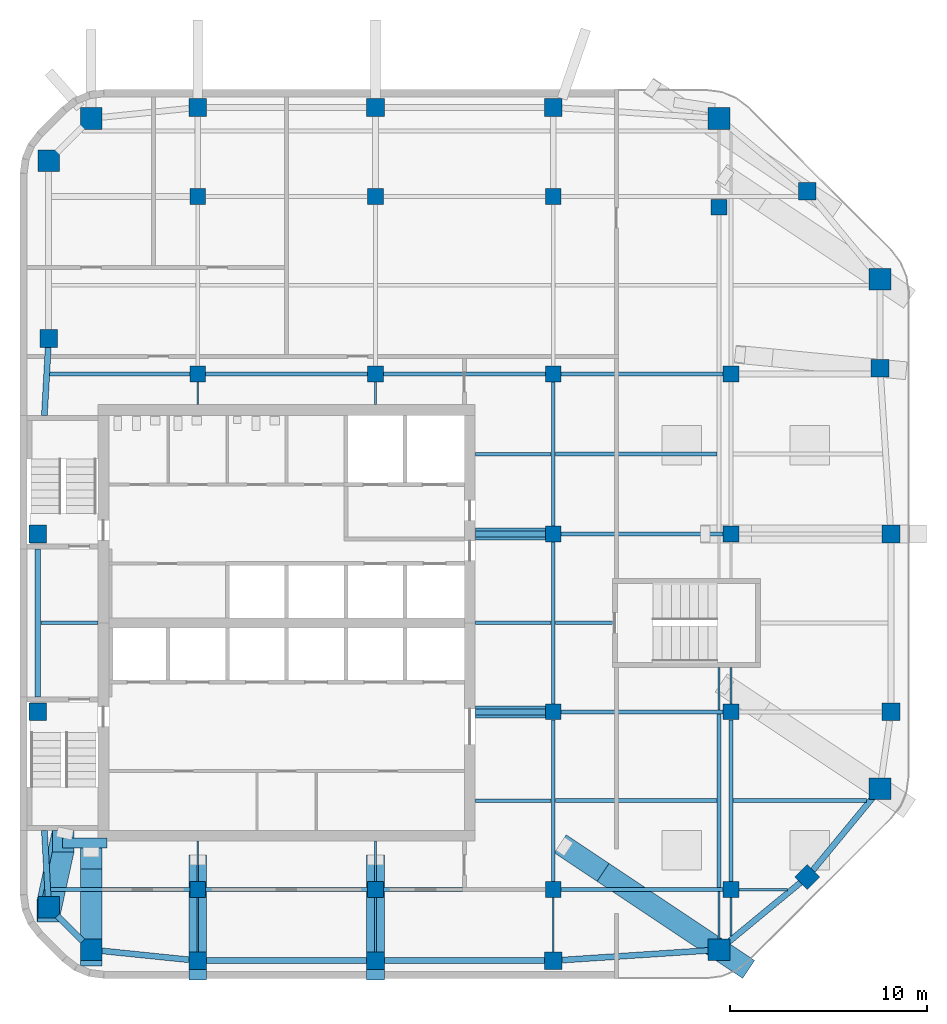
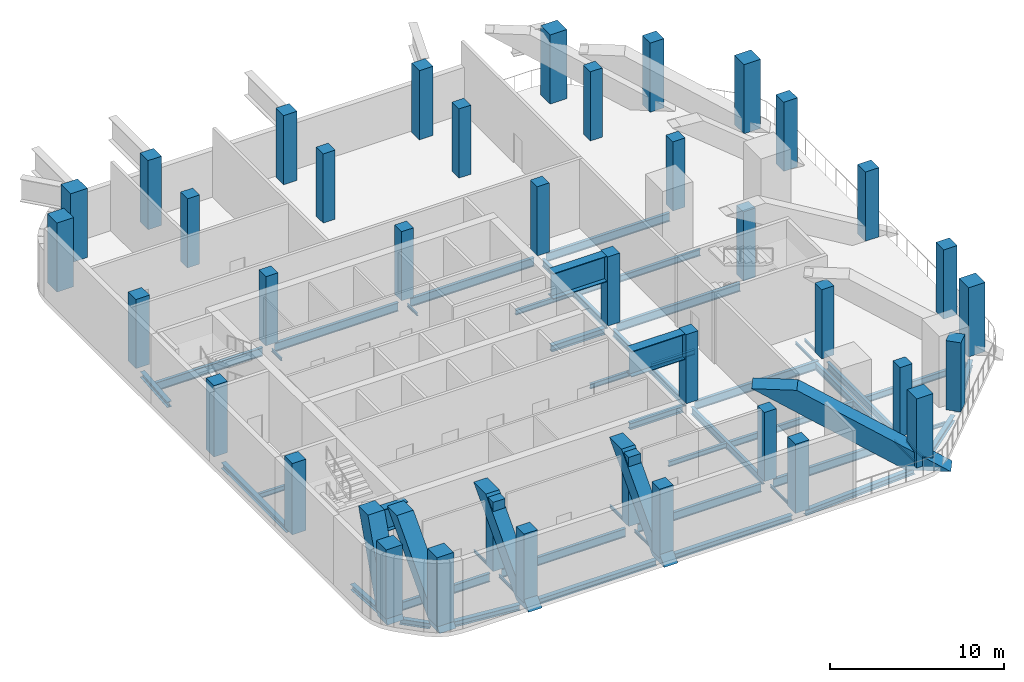
# One storey, part 1 of 8: 50 beams, 38 columns, 5 members.
"""IFC4 building model written with IfcOpenShell, lengths in metres."""

import ifcopenshell
import ifcopenshell.guid

model = None  # the IFC model being written
_history = None  # IfcOwnerHistory: only IFC2X3 demands one
_inside = {}  # id of a spatial element -> (the spatial element, [elements in it])
_under = {}  # id of a project, library or spatial element -> (it, [spatial elements below it])
_declared = {}  # id of a project -> (the project, [libraries it declares])
_typed = {}  # id of a type object -> (the type object, [elements of that type])
_made_of = {}  # id of a material, layer set ... -> (it, [elements and type objects made of it])


def new_model(schema):
    """Start an empty IFC model of exactly this schema.

    Asked for "IFC4X3", IfcOpenShell would pick the latest addendum, in which some entities
    have other attributes; the version numbers below select the first issue.
    IFC2X3 requires an IfcOwnerHistory on every rooted entity: one is made here for all.
    """
    global model, _history
    if schema == "IFC4X3":
        model = ifcopenshell.file(schema_version=(4, 3, 0, 0))
    else:
        model = ifcopenshell.file(schema=schema)
    _inside.clear()
    _under.clear()
    _declared.clear()
    _typed.clear()
    _made_of.clear()
    _history = None
    if model.schema == "IFC2X3":
        org = make("IfcOrganization", Name="unknown")
        user = make(
            "IfcPersonAndOrganization",
            ThePerson=make("IfcPerson", FamilyName="unknown"),
            TheOrganization=org,
        )
        app = make(
            "IfcApplication",
            ApplicationDeveloper=org,
            Version="unknown",
            ApplicationFullName="unknown",
            ApplicationIdentifier="unknown",
        )
        _history = make(
            "IfcOwnerHistory",
            OwningUser=user,
            OwningApplication=app,
            ChangeAction="ADDED",
            CreationDate=0,
        )
    return model


def make(cls, **values):
    """One entity of the class cls with the attributes given. An attribute that is None is left unset."""
    return model.create_entity(
        cls, **{name: value for name, value in values.items() if value is not None}
    )


def rooted(cls, **values):
    """An entity with a GlobalId (a new one), such as an element, a storey or a relation."""
    return make(cls, GlobalId=ifcopenshell.guid.new(), OwnerHistory=_history, **values)


def si_unit(unit_type, name, prefix=None):
    """IfcSIUnit, for example si_unit("LENGTHUNIT", "METRE", prefix="MILLI")."""
    return make("IfcSIUnit", UnitType=unit_type, Prefix=prefix, Name=name)


def assignment(units):
    """IfcUnitAssignment: the units of a project."""
    return None if units is None else make("IfcUnitAssignment", Units=units)


def point(xyz):
    """IfcCartesianPoint."""
    return None if xyz is None else make("IfcCartesianPoint", Coordinates=xyz)


def direction(xyz):
    """IfcDirection."""
    return None if xyz is None else make("IfcDirection", DirectionRatios=xyz)


def frame(location, z_axis=None, x_axis=None):
    """IfcAxis2Placement3D, a coordinate frame: its origin and axes. An axis left out is left unset."""
    return make(
        "IfcAxis2Placement3D",
        Location=point(location),
        Axis=direction(z_axis),
        RefDirection=direction(x_axis),
    )


def frame_2d(location, x_axis=None):
    """IfcAxis2Placement2D, a coordinate frame in the plane: its origin and x axis."""
    return make(
        "IfcAxis2Placement2D", Location=point(location), RefDirection=direction(x_axis)
    )


def origin():
    """The frame at (0, 0, 0) with its axes left unset."""
    return frame((0.0, 0.0, 0.0))


def origin_2d():
    """The frame at (0, 0) in the plane with its x axis left unset."""
    return frame_2d((0.0, 0.0))


def place(relative_to, where):
    """IfcLocalPlacement: puts the frame where relative to a parent placement (None: the world)."""
    return make(
        "IfcLocalPlacement", PlacementRelTo=relative_to, RelativePlacement=where
    )


def context(
    kind, dimensions, precision=None, world=None, true_north=None, identifier=None
):
    """IfcGeometricRepresentationContext, for example the 3D "Model" context."""
    return make(
        "IfcGeometricRepresentationContext",
        ContextIdentifier=identifier,
        ContextType=kind,
        CoordinateSpaceDimension=dimensions,
        Precision=precision,
        WorldCoordinateSystem=world,
        TrueNorth=true_north,
    )


def subcontext(parent, identifier, kind, view, scale=None):
    """IfcGeometricRepresentationSubContext, for example "Body" below "Model"."""
    return make(
        "IfcGeometricRepresentationSubContext",
        ContextIdentifier=identifier,
        ContextType=kind,
        ParentContext=parent,
        TargetScale=scale,
        TargetView=view,
    )


def project(units=None, contexts=None):
    """IfcProject with its units and contexts."""
    return rooted(
        "IfcProject",
        Name="project",
        RepresentationContexts=contexts,
        UnitsInContext=assignment(units),
    )


def spatial(cls, under=None, at=None, **own):
    """A site, building, storey or space (cls), placed at a placement, below another one or the project."""
    s = rooted(cls, ObjectPlacement=at, **own)
    if under is not None:
        _under.setdefault(under.id(), (under, []))[1].append(s)
    return s


def profile(cls, at=None, kind="AREA", **sizes):
    """A parametric profile (cls). Its sizes go by their IFC names, for example OverallWidth=200.0."""
    return make(cls, ProfileType=kind, Position=at, **sizes)


def rectangle(**sizes):
    """IfcRectangleProfileDef."""
    return profile("IfcRectangleProfileDef", **sizes)


def i_section(**sizes):
    """IfcIShapeProfileDef."""
    return profile("IfcIShapeProfileDef", **sizes)


def extrude(swept, where, along, depth):
    """IfcExtrudedAreaSolid: the profile swept, set in the frame where, extruded along a direction by depth."""
    return make(
        "IfcExtrudedAreaSolid",
        SweptArea=swept,
        Position=where,
        ExtrudedDirection=direction(along),
        Depth=depth,
    )


def shape(context_of_items, identifier, shape_type, items):
    """IfcShapeRepresentation: the items that make up one representation, for example the "Body"."""
    return make(
        "IfcShapeRepresentation",
        ContextOfItems=context_of_items,
        RepresentationIdentifier=identifier,
        RepresentationType=shape_type,
        Items=items,
    )


def material(Name=None, Category=None):
    """IfcMaterial."""
    return make("IfcMaterial", Name=Name, Category=Category)


def material_profile(
    of_material, cross_section, Name=None, Category=None, Priority=None
):
    """IfcMaterialProfile: a cross section and its material."""
    return make(
        "IfcMaterialProfile",
        Name=Name,
        Material=of_material,
        Profile=cross_section,
        Priority=Priority,
        Category=Category,
    )


def profile_set(profiles, Name=None, composite=None):
    """IfcMaterialProfileSet."""
    return make(
        "IfcMaterialProfileSet",
        Name=Name,
        MaterialProfiles=profiles,
        CompositeProfile=composite,
    )


def made_of(thing, what):
    """Note that an element or type object is made of a material, layer set ...; save() writes the relation."""
    if what is not None:
        _made_of.setdefault(what.id(), (what, []))[1].append(thing)
    return thing


def type_object(cls, material=None, **own):
    """A type object (cls), such as IfcWallType, which elements share."""
    return made_of(rooted(cls, **own), material)


def element(
    cls,
    number,
    at=None,
    inside=None,
    cuts=None,
    type_object=None,
    material=None,
    context=None,
    identifier="Body",
    shape_type=None,
    held_by="IfcProductDefinitionShape",
    body=None,
    shapes=None,
    **own,
):
    """One element of the class cls, such as IfcWall. Its Tag is "e" and its number.

    at: its placement. inside: the storey or other place that contains it. cuts: it is an
    opening in that element (IfcRelVoidsElement). A single representation is given by context,
    identifier, shape_type and body (its items); several are given by shapes. held_by: the class
    of the entity that holds the representations. save() writes the other relations.
    """
    e = rooted(cls, Tag="e%d" % number, ObjectPlacement=at, **own)
    if body is not None:
        shapes = [shape(context, identifier, shape_type, body)]
    if shapes is not None:
        e.Representation = make(held_by, Representations=shapes)
    if inside is not None:
        _inside.setdefault(inside.id(), (inside, []))[1].append(e)
    if cuts is not None:
        rooted(
            "IfcRelVoidsElement", RelatingBuildingElement=cuts, RelatedOpeningElement=e
        )
    if type_object is not None:
        _typed.setdefault(type_object.id(), (type_object, []))[1].append(e)
    return made_of(e, material)


def aggregate(whole, parts):
    """IfcRelAggregates: a whole, such as a stair, and the parts it consists of."""
    return rooted("IfcRelAggregates", RelatingObject=whole, RelatedObjects=parts)


def save(model, path):
    """Write the relations noted so far, then the file.

    IfcRelAggregates (storeys below a building ...), IfcRelContainedInSpatialStructure (elements
    in a storey), IfcRelDefinesByType, IfcRelAssociatesMaterial and IfcRelDeclares: one each for
    every whole, place, type object, material and project.
    """
    for whole, parts in _under.values():
        aggregate(whole, parts)
    for where, things in _inside.values():
        rooted(
            "IfcRelContainedInSpatialStructure",
            RelatedElements=things,
            RelatingStructure=where,
        )
    for kind, things in _typed.values():
        rooted("IfcRelDefinesByType", RelatedObjects=things, RelatingType=kind)
    for what, things in _made_of.values():
        rooted("IfcRelAssociatesMaterial", RelatedObjects=things, RelatingMaterial=what)
    for by, libraries in _declared.values():
        rooted("IfcRelDeclares", RelatingContext=by, RelatedDefinitions=libraries)
    model.write(path)


model = new_model("IFC4")

# Units and contexts
model_context = context("Model", 3, precision=1e-05, world=origin(), true_north=direction((0.0, 1.0)))
body_context = subcontext(model_context, "Body", "Model", "MODEL_VIEW")
ifc_project = project(units=[si_unit("LENGTHUNIT", "METRE"), si_unit("AREAUNIT", "SQUARE_METRE"), si_unit("VOLUMEUNIT", "CUBIC_METRE"), si_unit("PLANEANGLEUNIT", "RADIAN"), si_unit("MASSUNIT", "GRAM", prefix="KILO")], contexts=[model_context])

# Site, building, storey
site_placement = place(None, origin())
site = spatial("IfcSite", under=ifc_project, at=site_placement, CompositionType="ELEMENT")
building_placement = place(site_placement, origin())
building = spatial("IfcBuilding", under=site, at=building_placement, Name="Cinnabar Reach Civic Tower", CompositionType="ELEMENT")
storey_placement = place(building_placement, frame((0.0, 0.0, 242.0)))
storey = spatial("IfcBuildingStorey", under=building, at=storey_placement, Name="L58", CompositionType="ELEMENT", Elevation=242.0)

# Columns
ifc_material_1 = material(Name="Concrete C80", Category="concrete")
ifc_material_profile_1 = material_profile(ifc_material_1, rectangle(XDim=1.1, YDim=1.1, at=origin_2d()), Name="RC1100")
ifc_profile_set_1 = profile_set([ifc_material_profile_1], Name="Concrete C80")
column_type_1 = type_object("IfcColumnType", Name="RC1100 column R 240", PredefinedType="COLUMN", material=ifc_profile_set_1)
for number, where, z_axis, x_axis, name in (
    (1, (3.6019, 14.9531, 0.0), (0.0, 0.0, 1.0), (1.0, 0.0, 0.0), "Terrace post T1-Z4-CC0"),
    (2, (35.3981, 14.9531, 0.0), (0.0, 0.0, 1.0), (1.0, 0.0, 0.0), "Terrace post T1-Z4-CC1"),
    (3, (43.5469, 23.1019, 0.0), (0.0, 0.0, 1.0), (1.0, 0.0, 0.0), "Terrace post T1-Z4-CC2"),
    (4, (43.5469, 48.8981, 0.0), (0.0, 0.0, 1.0), (1.0, 0.0, 0.0), "Terrace post T1-Z4-CC3"),
    (5, (35.3981, 57.0469, 0.0), (0.0, 0.0, 1.0), (1.0, 0.0, 0.0), "Column T1-Z4-CC4"),
    (6, (3.6019, 57.0469, 0.0), (0.0, 0.0, 1.0), (1.0, 0.0, 0.0), "Column T1-Z4-CC5"),
    (7, (1.4531, 54.8981, 0.0), (0.0, 0.0, 1.0), (1.0, 0.0, 0.0), "Column T1-Z4-CC6"),
    (8, (1.4531, 17.1019, 0.0), (0.0, 0.0, 1.0), (1.0, 0.0, 0.0), "Terrace post T1-Z4-CC7"),
):
    element("IfcColumn", number, at=place(storey_placement, frame(where, z_axis=z_axis, x_axis=x_axis)), inside=storey, type_object=column_type_1, Name=name, PredefinedType="COLUMN", context=body_context, shape_type="SweptSolid", body=[
        extrude(rectangle(XDim=1.1, YDim=1.1, at=origin_2d()), origin(), (0.0, 0.0, 1.0), 4.85),
    ])
ifc_material_2 = material(Name="Concrete C60", Category="concrete")
ifc_material_profile_2 = material_profile(ifc_material_2, rectangle(XDim=0.8, YDim=0.8, at=origin_2d()), Name="RC800")
ifc_profile_set_2 = profile_set([ifc_material_profile_2], Name="Concrete C60")
column_type_2 = type_object("IfcColumnType", Name="RC800 column R 240", PredefinedType="COLUMN", material=ifc_profile_set_2)
for number, where, z_axis, x_axis, name in (
    (9, (9.0, 18.0, 0.0), (0.0, 0.0, 1.0), (1.0, 0.0, 0.0), "Column T1-Z4-I9_18"),
    (10, (9.0, 44.1, 0.0), (0.0, 0.0, 1.0), (1.0, 0.0, 0.0), "Column T1-Z4-I9_45"),
    (11, (9.0, 53.1, 0.0), (0.0, 0.0, 1.0), (1.0, 0.0, 0.0), "Column T1-Z4-I9_54"),
    (12, (18.0, 18.0, 0.0), (0.0, 0.0, 1.0), (1.0, 0.0, 0.0), "Column T1-Z4-I18_18"),
    (13, (18.0, 44.1, 0.0), (0.0, 0.0, 1.0), (1.0, 0.0, 0.0), "Column T1-Z4-I18_45"),
    (14, (18.0, 53.1, 0.0), (0.0, 0.0, 1.0), (1.0, 0.0, 0.0), "Column T1-Z4-I18_54"),
    (15, (27.0, 18.0, 0.0), (0.0, 0.0, 1.0), (1.0, 0.0, 0.0), "Column T1-Z4-I27_18"),
    (16, (27.0, 27.0, 0.0), (0.0, 0.0, 1.0), (1.0, 0.0, 0.0), "Column T1-Z4-I27_27"),
    (17, (27.0, 36.0, 0.0), (0.0, 0.0, 1.0), (1.0, 0.0, 0.0), "Column T1-Z4-I27_36"),
    (18, (27.0, 44.1, 0.0), (0.0, 0.0, 1.0), (1.0, 0.0, 0.0), "Column T1-Z4-I27_45"),
    (19, (27.0, 53.1, 0.0), (0.0, 0.0, 1.0), (1.0, 0.0, 0.0), "Column T1-Z4-I27_54"),
    (20, (36.0, 18.0, 0.0), (0.0, 0.0, 1.0), (1.0, 0.0, 0.0), "Column T1-Z4-I36_18"),
    (21, (36.0, 27.0, 0.0), (0.0, 0.0, 1.0), (1.0, 0.0, 0.0), "Column T1-Z4-I36_27"),
    (22, (36.0, 36.0, 0.0), (0.0, 0.0, 1.0), (1.0, 0.0, 0.0), "Column T1-Z4-I36_36"),
    (23, (36.0, 44.1, 0.0), (0.0, 0.0, 1.0), (1.0, 0.0, 0.0), "Column T1-Z4-I36_45"),
    (24, (35.3981, 52.5469, 0.0), (0.0, 0.0, 1.0), (1.0, 0.0, 0.0), "Column T1-Z4-I36_54"),
):
    element("IfcColumn", number, at=place(storey_placement, frame(where, z_axis=z_axis, x_axis=x_axis)), inside=storey, type_object=column_type_2, Name=name, PredefinedType="COLUMN", context=body_context, shape_type="SweptSolid", body=[
        extrude(rectangle(XDim=0.8, YDim=0.8, at=origin_2d()), origin(), (0.0, 0.0, 1.0), 4.85),
    ])
ifc_material_3 = material(Name="Concrete C70", Category="concrete")
ifc_material_profile_3 = material_profile(ifc_material_3, rectangle(XDim=0.9, YDim=0.9, at=origin_2d()), Name="RC900")
ifc_profile_set_3 = profile_set([ifc_material_profile_3], Name="Concrete C70")
column_type_3 = type_object("IfcColumnType", Name="RC900 column R 240", PredefinedType="COLUMN", material=ifc_profile_set_3)
for number, where, z_axis, x_axis, name in (
    (25, (9.0, 14.4, 0.0), (0.0, 0.0, 1.0), (1.0, 0.0, 0.0), "Terrace post T1-Z4-F0-1"),
    (26, (18.0, 14.4, 0.0), (0.0, 0.0, 1.0), (1.0, 0.0, 0.0), "Terrace post T1-Z4-F0-2"),
    (27, (27.0, 14.4, 0.0), (0.0, 0.0, 1.0), (1.0, 0.0, 0.0), "Column T1-Z4-F0-3"),
    (28, (39.8636, 18.6364, 0.0), (0.0, 0.0, 1.0), (0.707106781187, 0.707106781187, 0.0), "Column T1-Z4-F1-M"),
    (29, (44.1, 27.0, 0.0), (0.0, 0.0, 1.0), (1.0, 0.0, 0.0), "Column T1-Z4-F2-3"),
    (30, (44.1, 36.0, 0.0), (0.0, 0.0, 1.0), (1.0, 0.0, 0.0), "Terrace post T1-Z4-F2-4"),
    (31, (43.5469, 44.3981, 0.0), (0.0, 0.0, 1.0), (1.0, 0.0, 0.0), "Terrace post T1-Z4-F2-5"),
    (32, (39.8636, 53.3636, 0.0), (0.0, 0.0, 1.0), (1.0, 0.0, 0.0), "Terrace post T1-Z4-F3-M"),
    (33, (9.0, 57.6, 0.0), (0.0, 0.0, 1.0), (1.0, 0.0, 0.0), "Column T1-Z4-F4-1"),
    (34, (18.0, 57.6, 0.0), (0.0, 0.0, 1.0), (1.0, 0.0, 0.0), "Column T1-Z4-F4-2"),
    (35, (27.0, 57.6, 0.0), (0.0, 0.0, 1.0), (1.0, 0.0, 0.0), "Column T1-Z4-F4-3"),
):
    element("IfcColumn", number, at=place(storey_placement, frame(where, z_axis=z_axis, x_axis=x_axis)), inside=storey, type_object=column_type_3, Name=name, PredefinedType="COLUMN", context=body_context, shape_type="SweptSolid", body=[
        extrude(rectangle(XDim=0.9, YDim=0.9, at=origin_2d()), origin(), (0.0, 0.0, 1.0), 4.85),
    ])
for number, where, z_axis, x_axis, name in (
    (36, (0.9, 27.0, 0.0), (0.0, 0.0, 1.0), (1.0, 0.0, 0.0), "Column T1-Z4-F6-3"),
    (37, (0.9, 36.0, 0.0), (0.0, 0.0, 1.0), (1.0, 0.0, 0.0), "Column T1-Z4-F6-4"),
):
    element("IfcColumn", number, at=place(storey_placement, frame(where, z_axis=z_axis, x_axis=x_axis)), inside=storey, type_object=column_type_3, Name=name, PredefinedType="COLUMN", context=body_context, shape_type="SweptSolid", body=[
        extrude(rectangle(XDim=0.9, YDim=0.9, at=origin_2d()), origin(), (0.0, 0.0, 1.0), 5.0),
    ])
column_placement = place(storey_placement, frame((1.4531, 45.8981, 0.0), z_axis=(0.0, 0.0, 1.0), x_axis=(1.0, 0.0, 0.0)))
element("IfcColumn", 38, at=column_placement, inside=storey, type_object=column_type_3, Name="Column T1-Z4-F6-5", PredefinedType="COLUMN", context=body_context, shape_type="SweptSolid", body=[
    extrude(rectangle(XDim=0.9, YDim=0.9, at=origin_2d()), origin(), (0.0, 0.0, 1.0), 4.85),
])

# Beams
ifc_material_4 = material(Name="Steel Q355B", Category="steel")
ifc_material_profile_4 = material_profile(ifc_material_4, i_section(OverallWidth=0.3, OverallDepth=0.39, WebThickness=0.01, FlangeThickness=0.016, FilletRadius=0.013, at=origin_2d()), Name="HM390x300x10x16")
ifc_profile_set_4 = profile_set([ifc_material_profile_4], Name="Steel Q355B")
beam_type_1 = type_object("IfcBeamType", Name="HM390x300x10x16 beam R 180", PredefinedType="BEAM", material=ifc_profile_set_4)
beam_1_placement = place(storey_placement, frame((4.0339, 14.9088, -0.495), z_axis=(0.994792272495, -0.101923179821, 0.0), x_axis=(0.101923179821, 0.994792272495, 0.0)))
element("IfcBeam", 39, at=beam_1_placement, inside=storey, type_object=beam_type_1, Name="Edge beam T1 L58 1", PredefinedType="BEAM", context=body_context, shape_type="SweptSolid", body=[
    extrude(i_section(OverallWidth=0.3, OverallDepth=0.39, WebThickness=0.01, FlangeThickness=0.016, FilletRadius=0.013, at=origin_2d()), origin(), (0.0, 0.0, 1.0), 4.5377),
])
for number, where, z_axis, x_axis, name in (
    (40, (9.452, 14.4, -0.495), (1.0, 0.0, 0.0), (0.0, 1.0, 0.0), "Edge beam T1 L58 2"),
    (41, (18.452, 14.4, -0.495), (1.0, 0.0, 0.0), (0.0, 1.0, 0.0), "Edge beam T1 L58 3"),
):
    element("IfcBeam", number, at=place(storey_placement, frame(where, z_axis=z_axis, x_axis=x_axis)), inside=storey, type_object=beam_type_1, Name=name, PredefinedType="BEAM", context=body_context, shape_type="SweptSolid", body=[
        extrude(i_section(OverallWidth=0.3, OverallDepth=0.39, WebThickness=0.01, FlangeThickness=0.016, FilletRadius=0.013, at=origin_2d()), origin(), (0.0, 0.0, 1.0), 8.096),
    ])
beam_2_placement = place(storey_placement, frame((27.452, 14.4298, -0.495), z_axis=(0.99783894477, 0.065707231721, 0.0), x_axis=(-0.065707231721, 0.99783894477, 0.0)))
element("IfcBeam", 42, at=beam_2_placement, inside=storey, type_object=beam_type_1, Name="Edge beam T1 L58 4", PredefinedType="BEAM", context=body_context, shape_type="SweptSolid", body=[
    extrude(i_section(OverallWidth=0.3, OverallDepth=0.39, WebThickness=0.01, FlangeThickness=0.016, FilletRadius=0.013, at=origin_2d()), origin(), (0.0, 0.0, 1.0), 7.5304),
])
for number, where, z_axis, x_axis, name in (
    (43, (35.8301, 15.3094, -0.495), (0.771434448755, 0.63630880182, 0.0), (-0.63630880182, 0.771434448755, 0.0), "Edge beam T1 L58 5"),
    (44, (40.1142, 18.9402, -0.495), (0.63630880182, 0.771434448755, 0.0), (-0.771434448755, 0.63630880182, 0.0), "Edge beam T1 L58 6"),
):
    element("IfcBeam", number, at=place(storey_placement, frame(where, z_axis=z_axis, x_axis=x_axis)), inside=storey, type_object=beam_type_1, Name=name, PredefinedType="BEAM", context=body_context, shape_type="SweptSolid", body=[
        extrude(i_section(OverallWidth=0.3, OverallDepth=0.39, WebThickness=0.01, FlangeThickness=0.016, FilletRadius=0.013, at=origin_2d()), origin(), (0.0, 0.0, 1.0), 4.8348),
    ])
beam_3_placement = place(storey_placement, frame((1.4278, 45.4461, -0.495), z_axis=(-0.0557766862, -0.998443268932, 0.0), x_axis=(0.998443268932, -0.0557766862, 0.0)))
element("IfcBeam", 45, at=beam_3_placement, inside=storey, type_object=beam_type_1, Name="Edge beam T1 L58 19", PredefinedType="BEAM", context=body_context, shape_type="SweptSolid", body=[
    extrude(i_section(OverallWidth=0.3, OverallDepth=0.39, WebThickness=0.01, FlangeThickness=0.016, FilletRadius=0.013, at=origin_2d()), origin(), (0.0, 0.0, 1.0), 3.4495),
])
beam_4_placement = place(storey_placement, frame((0.9, 35.248, -0.495), z_axis=(0.0, -1.0, 0.0), x_axis=(1.0, 0.0, 0.0)))
element("IfcBeam", 46, at=beam_4_placement, inside=storey, type_object=beam_type_1, Name="Edge beam T1 L58 20", PredefinedType="BEAM", context=body_context, shape_type="SweptSolid", body=[
    extrude(i_section(OverallWidth=0.3, OverallDepth=0.39, WebThickness=0.01, FlangeThickness=0.016, FilletRadius=0.013, at=origin_2d()), origin(), (0.0, 0.0, 1.0), 7.496),
])
beam_5_placement = place(storey_placement, frame((1.2354, 20.998, -0.495), z_axis=(0.05580045603, -0.998441940779, 0.0), x_axis=(0.998441940779, 0.05580045603, 0.0)))
element("IfcBeam", 47, at=beam_5_placement, inside=storey, type_object=beam_type_1, Name="Edge beam T1 L58 21", PredefinedType="BEAM", context=body_context, shape_type="SweptSolid", body=[
    extrude(i_section(OverallWidth=0.3, OverallDepth=0.39, WebThickness=0.01, FlangeThickness=0.016, FilletRadius=0.013, at=origin_2d()), origin(), (0.0, 0.0, 1.0), 3.4695),
])
beam_6_placement = place(storey_placement, frame((1.8851, 16.6699, -0.495), z_axis=(0.707106781187, -0.707106781187, 0.0), x_axis=(0.707106781187, 0.707106781187, 0.0)))
element("IfcBeam", 48, at=beam_6_placement, inside=storey, type_object=beam_type_1, Name="Edge beam T1 L58 22", PredefinedType="BEAM", context=body_context, shape_type="SweptSolid", body=[
    extrude(i_section(OverallWidth=0.3, OverallDepth=0.39, WebThickness=0.01, FlangeThickness=0.016, FilletRadius=0.013, at=origin_2d()), origin(), (0.0, 0.0, 1.0), 1.817),
])
ifc_material_profile_5 = material_profile(ifc_material_4, i_section(OverallWidth=0.3, OverallDepth=0.44, WebThickness=0.011, FlangeThickness=0.018, FilletRadius=0.016, at=origin_2d()), Name="HM440x300x11x18")
ifc_profile_set_5 = profile_set([ifc_material_profile_5], Name="Steel Q355B")
beam_type_2 = type_object("IfcBeamType", Name="HM440x300x11x18 beam R 180", PredefinedType="BEAM", material=ifc_profile_set_5)
for number, where, z_axis, x_axis, name in (
    (49, (23.052, 27.0, -0.52), (1.0, 0.0, 0.0), (0.0, 1.0, 0.0), "Girder T1 L58 6"),
    (50, (23.052, 36.0, -0.52), (1.0, 0.0, 0.0), (0.0, 1.0, 0.0), "Girder T1 L58 9"),
):
    element("IfcBeam", number, at=place(storey_placement, frame(where, z_axis=z_axis, x_axis=x_axis)), inside=storey, type_object=beam_type_2, Name=name, PredefinedType="BEAM", context=body_context, shape_type="SweptSolid", body=[
        extrude(i_section(OverallWidth=0.3, OverallDepth=0.44, WebThickness=0.011, FlangeThickness=0.018, FilletRadius=0.016, at=origin_2d()), origin(), (0.0, 0.0, 1.0), 3.546),
    ])
ifc_material_profile_6 = material_profile(ifc_material_4, i_section(OverallWidth=0.099, OverallDepth=0.198, WebThickness=0.0045, FlangeThickness=0.007, FilletRadius=0.013, at=origin_2d()), Name="HN200x100x5.5x8")
ifc_profile_set_6 = profile_set([ifc_material_profile_6], Name="Steel Q355B")
beam_type_3 = type_object("IfcBeamType", Name="HN200x100x5.5x8 beam R 180", PredefinedType="BEAM", material=ifc_profile_set_6)
beam_7_placement = place(storey_placement, frame((9.0, 14.852, -0.399), z_axis=(0.0, 1.0, 0.0), x_axis=(-1.0, 0.0, 0.0)))
element("IfcBeam", 51, at=beam_7_placement, inside=storey, type_object=beam_type_3, Name="Girder T1 L58 1", PredefinedType="BEAM", context=body_context, shape_type="SweptSolid", body=[
    extrude(i_section(OverallWidth=0.099, OverallDepth=0.198, WebThickness=0.0045, FlangeThickness=0.007, FilletRadius=0.013, at=origin_2d()), origin(), (0.0, 0.0, 1.0), 2.746),
])
beam_8_placement = place(storey_placement, frame((9.0, 18.402, -0.399), z_axis=(0.0, 1.0, 0.0), x_axis=(-1.0, 0.0, 0.0)))
element("IfcBeam", 52, at=beam_8_placement, inside=storey, type_object=beam_type_3, Name="Girder T1 L58 2", PredefinedType="BEAM", context=body_context, shape_type="SweptSolid", body=[
    extrude(i_section(OverallWidth=0.099, OverallDepth=0.198, WebThickness=0.0045, FlangeThickness=0.007, FilletRadius=0.013, at=origin_2d()), origin(), (0.0, 0.0, 1.0), 2.046),
])
beam_9_placement = place(storey_placement, frame((9.0, 42.552, -0.399), z_axis=(0.0, 1.0, 0.0), x_axis=(-1.0, 0.0, 0.0)))
element("IfcBeam", 53, at=beam_9_placement, inside=storey, type_object=beam_type_3, Name="Girder T1 L58 3", PredefinedType="BEAM", context=body_context, shape_type="SweptSolid", body=[
    extrude(i_section(OverallWidth=0.099, OverallDepth=0.198, WebThickness=0.0045, FlangeThickness=0.007, FilletRadius=0.013, at=origin_2d()), origin(), (0.0, 0.0, 1.0), 1.146),
])
beam_10_placement = place(storey_placement, frame((18.0, 14.852, -0.399), z_axis=(0.0, 1.0, 0.0), x_axis=(-1.0, 0.0, 0.0)))
element("IfcBeam", 54, at=beam_10_placement, inside=storey, type_object=beam_type_3, Name="Girder T1 L58 6", PredefinedType="BEAM", context=body_context, shape_type="SweptSolid", body=[
    extrude(i_section(OverallWidth=0.099, OverallDepth=0.198, WebThickness=0.0045, FlangeThickness=0.007, FilletRadius=0.013, at=origin_2d()), origin(), (0.0, 0.0, 1.0), 2.746),
])
beam_11_placement = place(storey_placement, frame((18.0, 18.402, -0.399), z_axis=(0.0, 1.0, 0.0), x_axis=(-1.0, 0.0, 0.0)))
element("IfcBeam", 55, at=beam_11_placement, inside=storey, type_object=beam_type_3, Name="Girder T1 L58 7", PredefinedType="BEAM", context=body_context, shape_type="SweptSolid", body=[
    extrude(i_section(OverallWidth=0.099, OverallDepth=0.198, WebThickness=0.0045, FlangeThickness=0.007, FilletRadius=0.013, at=origin_2d()), origin(), (0.0, 0.0, 1.0), 2.046),
])
beam_12_placement = place(storey_placement, frame((18.0, 42.552, -0.399), z_axis=(0.0, 1.0, 0.0), x_axis=(-1.0, 0.0, 0.0)))
element("IfcBeam", 56, at=beam_12_placement, inside=storey, type_object=beam_type_3, Name="Girder T1 L58 8", PredefinedType="BEAM", context=body_context, shape_type="SweptSolid", body=[
    extrude(i_section(OverallWidth=0.099, OverallDepth=0.198, WebThickness=0.0045, FlangeThickness=0.007, FilletRadius=0.013, at=origin_2d()), origin(), (0.0, 0.0, 1.0), 1.146),
])
beam_13_placement = place(storey_placement, frame((27.0, 14.852, -0.399), z_axis=(0.0, 1.0, 0.0), x_axis=(-1.0, 0.0, 0.0)))
element("IfcBeam", 57, at=beam_13_placement, inside=storey, type_object=beam_type_3, Name="Girder T1 L58 11", PredefinedType="BEAM", context=body_context, shape_type="SweptSolid", body=[
    extrude(i_section(OverallWidth=0.099, OverallDepth=0.198, WebThickness=0.0045, FlangeThickness=0.007, FilletRadius=0.013, at=origin_2d()), origin(), (0.0, 0.0, 1.0), 2.746),
])
beam_14_placement = place(storey_placement, frame((35.3981, 15.5051, -0.399), z_axis=(0.0, 1.0, 0.0), x_axis=(-1.0, 0.0, 0.0)))
element("IfcBeam", 58, at=beam_14_placement, inside=storey, type_object=beam_type_3, Name="Girder T1 L58 17", PredefinedType="BEAM", context=body_context, shape_type="SweptSolid", body=[
    extrude(i_section(OverallWidth=0.099, OverallDepth=0.198, WebThickness=0.0045, FlangeThickness=0.007, FilletRadius=0.013, at=origin_2d()), origin(), (0.0, 0.0, 1.0), 2.3934),
])
beam_15_placement = place(storey_placement, frame((35.3981, 27.1015, -0.399), z_axis=(0.0, 1.0, 0.0), x_axis=(-1.0, 0.0, 0.0)))
element("IfcBeam", 59, at=beam_15_placement, inside=storey, type_object=beam_type_3, Name="Girder T1 L58 19", PredefinedType="BEAM", context=body_context, shape_type="SweptSolid", body=[
    extrude(i_section(OverallWidth=0.099, OverallDepth=0.198, WebThickness=0.0045, FlangeThickness=0.007, FilletRadius=0.013, at=origin_2d()), origin(), (0.0, 0.0, 1.0), 2.1465),
])
beam_16_placement = place(storey_placement, frame((36.0, 15.6466, -0.399), z_axis=(0.0, 1.0, 0.0), x_axis=(-1.0, 0.0, 0.0)))
element("IfcBeam", 60, at=beam_16_placement, inside=storey, type_object=beam_type_3, Name="Girder T1 L58 24", PredefinedType="BEAM", context=body_context, shape_type="SweptSolid", body=[
    extrude(i_section(OverallWidth=0.099, OverallDepth=0.198, WebThickness=0.0045, FlangeThickness=0.007, FilletRadius=0.013, at=origin_2d()), origin(), (0.0, 0.0, 1.0), 1.9514),
])
beam_17_placement = place(storey_placement, frame((36.0, 27.402, -0.399), z_axis=(0.0, 1.0, 0.0), x_axis=(-1.0, 0.0, 0.0)))
element("IfcBeam", 61, at=beam_17_placement, inside=storey, type_object=beam_type_3, Name="Girder T1 L58 26", PredefinedType="BEAM", context=body_context, shape_type="SweptSolid", body=[
    extrude(i_section(OverallWidth=0.099, OverallDepth=0.198, WebThickness=0.0045, FlangeThickness=0.007, FilletRadius=0.013, at=origin_2d()), origin(), (0.0, 0.0, 1.0), 1.846),
])
ifc_material_profile_7 = material_profile(ifc_material_4, i_section(OverallWidth=0.124, OverallDepth=0.248, WebThickness=0.005, FlangeThickness=0.008, FilletRadius=0.013, at=origin_2d()), Name="HN250x125x6x9")
ifc_profile_set_7 = profile_set([ifc_material_profile_7], Name="Steel Q355B")
beam_type_4 = type_object("IfcBeamType", Name="HN250x125x6x9 beam R 180", PredefinedType="BEAM", material=ifc_profile_set_7)
beam_18_placement = place(storey_placement, frame((36.402, 18.0, -0.424), z_axis=(1.0, 0.0, 0.0), x_axis=(0.0, 1.0, 0.0)))
element("IfcBeam", 62, at=beam_18_placement, inside=storey, type_object=beam_type_4, Name="Girder T1 L58 5", PredefinedType="BEAM", context=body_context, shape_type="SweptSolid", body=[
    extrude(i_section(OverallWidth=0.124, OverallDepth=0.248, WebThickness=0.005, FlangeThickness=0.008, FilletRadius=0.013, at=origin_2d()), origin(), (0.0, 0.0, 1.0), 2.4512),
])
ifc_material_profile_8 = material_profile(ifc_material_4, i_section(OverallWidth=0.174, OverallDepth=0.346, WebThickness=0.006, FlangeThickness=0.009, FilletRadius=0.013, at=origin_2d()), Name="HN346x174x6x9")
ifc_profile_set_8 = profile_set([ifc_material_profile_8], Name="Steel Q355B")
beam_type_5 = type_object("IfcBeamType", Name="HN346x174x6x9 beam R 180", PredefinedType="BEAM", material=ifc_profile_set_8)
beam_19_placement = place(storey_placement, frame((23.052, 22.5, -0.473), z_axis=(1.0, 0.0, 0.0), x_axis=(0.0, 1.0, 0.0)))
element("IfcBeam", 63, at=beam_19_placement, inside=storey, type_object=beam_type_5, Name="Secondary beam T1 L58 1", PredefinedType="BEAM", context=body_context, shape_type="SweptSolid", body=[
    extrude(i_section(OverallWidth=0.174, OverallDepth=0.346, WebThickness=0.006, FlangeThickness=0.009, FilletRadius=0.013, at=origin_2d()), origin(), (0.0, 0.0, 1.0), 3.846),
])
beam_20_placement = place(storey_placement, frame((1.052, 31.5, -0.473), z_axis=(1.0, 0.0, 0.0), x_axis=(0.0, 1.0, 0.0)))
element("IfcBeam", 64, at=beam_20_placement, inside=storey, type_object=beam_type_5, Name="Secondary beam T1 L58 4", PredefinedType="BEAM", context=body_context, shape_type="SweptSolid", body=[
    extrude(i_section(OverallWidth=0.174, OverallDepth=0.346, WebThickness=0.006, FlangeThickness=0.009, FilletRadius=0.013, at=origin_2d()), origin(), (0.0, 0.0, 1.0), 2.896),
])
beam_21_placement = place(storey_placement, frame((23.052, 31.5, -0.473), z_axis=(1.0, 0.0, 0.0), x_axis=(0.0, 1.0, 0.0)))
element("IfcBeam", 65, at=beam_21_placement, inside=storey, type_object=beam_type_5, Name="Secondary beam T1 L58 5", PredefinedType="BEAM", context=body_context, shape_type="SweptSolid", body=[
    extrude(i_section(OverallWidth=0.174, OverallDepth=0.346, WebThickness=0.006, FlangeThickness=0.009, FilletRadius=0.013, at=origin_2d()), origin(), (0.0, 0.0, 1.0), 3.846),
])
beam_22_placement = place(storey_placement, frame((27.102, 31.5, -0.473), z_axis=(1.0, 0.0, 0.0), x_axis=(0.0, 1.0, 0.0)))
element("IfcBeam", 66, at=beam_22_placement, inside=storey, type_object=beam_type_5, Name="Secondary beam T1 L58 6", PredefinedType="BEAM", context=body_context, shape_type="SweptSolid", body=[
    extrude(i_section(OverallWidth=0.174, OverallDepth=0.346, WebThickness=0.006, FlangeThickness=0.009, FilletRadius=0.013, at=origin_2d()), origin(), (0.0, 0.0, 1.0), 2.896),
])
beam_23_placement = place(storey_placement, frame((23.052, 40.05, -0.473), z_axis=(1.0, 0.0, 0.0), x_axis=(0.0, 1.0, 0.0)))
element("IfcBeam", 67, at=beam_23_placement, inside=storey, type_object=beam_type_5, Name="Secondary beam T1 L58 8", PredefinedType="BEAM", context=body_context, shape_type="SweptSolid", body=[
    extrude(i_section(OverallWidth=0.174, OverallDepth=0.346, WebThickness=0.006, FlangeThickness=0.009, FilletRadius=0.013, at=origin_2d()), origin(), (0.0, 0.0, 1.0), 3.846),
])
ifc_material_profile_9 = material_profile(ifc_material_4, i_section(OverallWidth=0.199, OverallDepth=0.446, WebThickness=0.008, FlangeThickness=0.012, FilletRadius=0.016, at=origin_2d()), Name="HN446x199x8x12")
ifc_profile_set_9 = profile_set([ifc_material_profile_9], Name="Steel Q355B")
beam_type_6 = type_object("IfcBeamType", Name="HN446x199x8x12 beam R 180", PredefinedType="BEAM", material=ifc_profile_set_9)
beam_24_placement = place(storey_placement, frame((27.102, 22.5, -0.523), z_axis=(1.0, 0.0, 0.0), x_axis=(0.0, 1.0, 0.0)))
element("IfcBeam", 68, at=beam_24_placement, inside=storey, type_object=beam_type_6, Name="Secondary beam T1 L58 2", PredefinedType="BEAM", context=body_context, shape_type="SweptSolid", body=[
    extrude(i_section(OverallWidth=0.199, OverallDepth=0.446, WebThickness=0.008, FlangeThickness=0.012, FilletRadius=0.016, at=origin_2d()), origin(), (0.0, 0.0, 1.0), 8.1941),
])
beam_25_placement = place(storey_placement, frame((36.102, 22.5, -0.523), z_axis=(1.0, 0.0, 0.0), x_axis=(0.0, 1.0, 0.0)))
element("IfcBeam", 69, at=beam_25_placement, inside=storey, type_object=beam_type_6, Name="Secondary beam T1 L58 3", PredefinedType="BEAM", context=body_context, shape_type="SweptSolid", body=[
    extrude(i_section(OverallWidth=0.199, OverallDepth=0.446, WebThickness=0.008, FlangeThickness=0.012, FilletRadius=0.016, at=origin_2d()), origin(), (0.0, 0.0, 1.0), 6.7514),
])
beam_26_placement = place(storey_placement, frame((27.102, 40.05, -0.523), z_axis=(1.0, 0.0, 0.0), x_axis=(0.0, 1.0, 0.0)))
element("IfcBeam", 70, at=beam_26_placement, inside=storey, type_object=beam_type_6, Name="Secondary beam T1 L58 9", PredefinedType="BEAM", context=body_context, shape_type="SweptSolid", body=[
    extrude(i_section(OverallWidth=0.199, OverallDepth=0.446, WebThickness=0.008, FlangeThickness=0.012, FilletRadius=0.016, at=origin_2d()), origin(), (0.0, 0.0, 1.0), 8.1941),
])
ifc_material_profile_10 = material_profile(ifc_material_4, i_section(OverallWidth=0.2, OverallDepth=0.5, WebThickness=0.01, FlangeThickness=0.016, FilletRadius=0.016, at=origin_2d()), Name="HN500x200x10x16")
ifc_profile_set_10 = profile_set([ifc_material_profile_10], Name="Steel Q355B")
beam_type_7 = type_object("IfcBeamType", Name="HN500x200x10x16 beam R 180", PredefinedType="BEAM", material=ifc_profile_set_10)
for number, where, z_axis, x_axis, name in (
    (71, (27.0, 18.402, -0.55), (0.0, 1.0, 0.0), (-1.0, 0.0, 0.0), "Girder T1 L58 12"),
    (72, (27.0, 27.402, -0.55), (0.0, 1.0, 0.0), (-1.0, 0.0, 0.0), "Girder T1 L58 13"),
):
    element("IfcBeam", number, at=place(storey_placement, frame(where, z_axis=z_axis, x_axis=x_axis)), inside=storey, type_object=beam_type_7, Name=name, PredefinedType="BEAM", context=body_context, shape_type="SweptSolid", body=[
        extrude(i_section(OverallWidth=0.2, OverallDepth=0.5, WebThickness=0.01, FlangeThickness=0.016, FilletRadius=0.016, at=origin_2d()), origin(), (0.0, 0.0, 1.0), 8.196),
    ])
beam_27_placement = place(storey_placement, frame((27.0, 36.402, -0.55), z_axis=(0.0, 1.0, 0.0), x_axis=(-1.0, 0.0, 0.0)))
element("IfcBeam", 73, at=beam_27_placement, inside=storey, type_object=beam_type_7, Name="Girder T1 L58 14", PredefinedType="BEAM", context=body_context, shape_type="SweptSolid", body=[
    extrude(i_section(OverallWidth=0.2, OverallDepth=0.5, WebThickness=0.01, FlangeThickness=0.016, FilletRadius=0.016, at=origin_2d()), origin(), (0.0, 0.0, 1.0), 7.296),
])
beam_28_placement = place(storey_placement, frame((35.3981, 18.1015, -0.55), z_axis=(0.0, 1.0, 0.0), x_axis=(-1.0, 0.0, 0.0)))
element("IfcBeam", 74, at=beam_28_placement, inside=storey, type_object=beam_type_7, Name="Girder T1 L58 18", PredefinedType="BEAM", context=body_context, shape_type="SweptSolid", body=[
    extrude(i_section(OverallWidth=0.2, OverallDepth=0.5, WebThickness=0.01, FlangeThickness=0.016, FilletRadius=0.016, at=origin_2d()), origin(), (0.0, 0.0, 1.0), 8.797),
])
beam_29_placement = place(storey_placement, frame((36.0, 18.402, -0.55), z_axis=(0.0, 1.0, 0.0), x_axis=(-1.0, 0.0, 0.0)))
element("IfcBeam", 75, at=beam_29_placement, inside=storey, type_object=beam_type_7, Name="Girder T1 L58 25", PredefinedType="BEAM", context=body_context, shape_type="SweptSolid", body=[
    extrude(i_section(OverallWidth=0.2, OverallDepth=0.5, WebThickness=0.01, FlangeThickness=0.016, FilletRadius=0.016, at=origin_2d()), origin(), (0.0, 0.0, 1.0), 8.196),
])
ifc_material_profile_11 = material_profile(ifc_material_4, i_section(OverallWidth=0.199, OverallDepth=0.596, WebThickness=0.01, FlangeThickness=0.015, FilletRadius=0.016, at=origin_2d()), Name="HN596x199x10x15")
ifc_profile_set_11 = profile_set([ifc_material_profile_11], Name="Steel Q355B")
beam_type_8 = type_object("IfcBeamType", Name="HN596x199x10x15 beam R 180", PredefinedType="BEAM", material=ifc_profile_set_11)
beam_30_placement = place(storey_placement, frame((1.5552, 18.0, -0.598), z_axis=(1.0, 0.0, 0.0), x_axis=(0.0, 1.0, 0.0)))
element("IfcBeam", 76, at=beam_30_placement, inside=storey, type_object=beam_type_8, Name="Girder T1 L58 1", PredefinedType="BEAM", context=body_context, shape_type="SweptSolid", body=[
    extrude(i_section(OverallWidth=0.199, OverallDepth=0.596, WebThickness=0.01, FlangeThickness=0.015, FilletRadius=0.016, at=origin_2d()), origin(), (0.0, 0.0, 1.0), 7.0428),
])
for number, where, z_axis, x_axis, name in (
    (77, (9.402, 18.0, -0.598), (1.0, 0.0, 0.0), (0.0, 1.0, 0.0), "Girder T1 L58 2"),
    (78, (18.402, 18.0, -0.598), (1.0, 0.0, 0.0), (0.0, 1.0, 0.0), "Girder T1 L58 3"),
    (79, (27.402, 18.0, -0.598), (1.0, 0.0, 0.0), (0.0, 1.0, 0.0), "Girder T1 L58 4"),
    (80, (27.402, 27.0, -0.598), (1.0, 0.0, 0.0), (0.0, 1.0, 0.0), "Girder T1 L58 7"),
    (81, (27.402, 36.0, -0.598), (1.0, 0.0, 0.0), (0.0, 1.0, 0.0), "Girder T1 L58 10"),
):
    element("IfcBeam", number, at=place(storey_placement, frame(where, z_axis=z_axis, x_axis=x_axis)), inside=storey, type_object=beam_type_8, Name=name, PredefinedType="BEAM", context=body_context, shape_type="SweptSolid", body=[
        extrude(i_section(OverallWidth=0.199, OverallDepth=0.596, WebThickness=0.01, FlangeThickness=0.015, FilletRadius=0.016, at=origin_2d()), origin(), (0.0, 0.0, 1.0), 8.196),
    ])
beam_31_placement = place(storey_placement, frame((1.5049, 44.1, -0.598), z_axis=(1.0, 0.0, 0.0), x_axis=(0.0, 1.0, 0.0)))
element("IfcBeam", 82, at=beam_31_placement, inside=storey, type_object=beam_type_8, Name="Girder T1 L58 12", PredefinedType="BEAM", context=body_context, shape_type="SweptSolid", body=[
    extrude(i_section(OverallWidth=0.199, OverallDepth=0.596, WebThickness=0.01, FlangeThickness=0.015, FilletRadius=0.016, at=origin_2d()), origin(), (0.0, 0.0, 1.0), 7.0931),
])
for number, where, z_axis, x_axis, name in (
    (83, (9.402, 44.1, -0.598), (1.0, 0.0, 0.0), (0.0, 1.0, 0.0), "Girder T1 L58 13"),
    (84, (18.402, 44.1, -0.598), (1.0, 0.0, 0.0), (0.0, 1.0, 0.0), "Girder T1 L58 14"),
    (85, (27.402, 44.1, -0.598), (1.0, 0.0, 0.0), (0.0, 1.0, 0.0), "Girder T1 L58 15"),
):
    element("IfcBeam", number, at=place(storey_placement, frame(where, z_axis=z_axis, x_axis=x_axis)), inside=storey, type_object=beam_type_8, Name=name, PredefinedType="BEAM", context=body_context, shape_type="SweptSolid", body=[
        extrude(i_section(OverallWidth=0.199, OverallDepth=0.596, WebThickness=0.01, FlangeThickness=0.015, FilletRadius=0.016, at=origin_2d()), origin(), (0.0, 0.0, 1.0), 8.196),
    ])
ifc_material_profile_12 = material_profile(ifc_material_4, i_section(OverallWidth=0.6, OverallDepth=1.8, WebThickness=0.028, FlangeThickness=0.045, at=origin_2d()), Name="BH1800x600x28x45")
ifc_profile_set_12 = profile_set([ifc_material_profile_12], Name="Steel Q355B")
beam_type_9 = type_object("IfcBeamType", Name="OUTRIGGER BH1800x600x28x45 R 240", PredefinedType="BEAM", material=ifc_profile_set_12)
for number, where, z_axis, x_axis, name in (
    (86, (23.052, 27.0, 3.95), (1.0, 0.0, 0.0), (0.0, 1.0, 0.0), "OUTRIGGER girder T1-L58-OG-E27"),
    (87, (23.052, 36.0, 3.95), (1.0, 0.0, 0.0), (0.0, 1.0, 0.0), "OUTRIGGER girder T1-L58-OG-E36"),
):
    element("IfcBeam", number, at=place(storey_placement, frame(where, z_axis=z_axis, x_axis=x_axis)), inside=storey, type_object=beam_type_9, Name=name, PredefinedType="BEAM", context=body_context, shape_type="SweptSolid", body=[
        extrude(i_section(OverallWidth=0.6, OverallDepth=1.8, WebThickness=0.028, FlangeThickness=0.045, at=origin_2d()), origin(), (0.0, 0.0, 1.0), 3.546),
    ])

# Members
ifc_material_profile_13 = material_profile(ifc_material_1, rectangle(XDim=1.1, YDim=1.1, at=origin_2d()), Name="RC1100")
ifc_profile_set_13 = profile_set([ifc_material_profile_13], Name="Concrete C80")
member_type_1 = type_object("IfcMemberType", Name="RC1100 raked column R 240", PredefinedType="STRUT", material=ifc_profile_set_13)
member_1_placement = place(storey_placement, frame((3.6019, 14.6747, -0.3), z_axis=(0.0, 0.0, 1.0), x_axis=(1.0, 0.0, 0.0)))
element("IfcMember", 88, at=member_1_placement, inside=storey, type_object=member_type_1, Name="Raked column T1-Z4-CC0", PredefinedType="STRUT", context=body_context, shape_type="SweptSolid", body=[
    extrude(rectangle(XDim=1.1, YDim=1.1, at=origin_2d()), origin(), (0.0, 0.680166692317, 0.733057481145), 7.23),
])
member_2_placement = place(storey_placement, frame((1.4092, 16.901, -0.3), z_axis=(0.0, 0.0, 1.0), x_axis=(1.0, 0.0, 0.0)))
element("IfcMember", 89, at=member_2_placement, inside=storey, type_object=member_type_1, Name="Raked column T1-Z4-CC7", PredefinedType="STRUT", context=body_context, shape_type="SweptSolid", body=[
    extrude(rectangle(XDim=1.1, YDim=1.1, at=origin_2d()), origin(), (0.120747515538, 0.552382145125, 0.824799371507), 6.4258),
])
ifc_material_profile_14 = material_profile(ifc_material_3, rectangle(XDim=1.4, YDim=0.9, at=origin_2d()), Name="RC1400x900")
ifc_profile_set_14 = profile_set([ifc_material_profile_14], Name="Concrete C70")
member_type_2 = type_object("IfcMemberType", Name="RC1400x900 raked strut R 240", PredefinedType="STRUT", material=ifc_profile_set_14)
for number, where, z_axis, x_axis, name in (
    (90, (9.0, 14.1216, -0.3), (0.0, 0.0, 1.0), (0.0, 1.0, 0.0), "Raked column T1-Z4-F0-1"),
    (91, (18.0, 14.1216, -0.3), (0.0, 0.0, 1.0), (0.0, 1.0, 0.0), "Raked column T1-Z4-F0-2"),
):
    element("IfcMember", number, at=place(storey_placement, frame(where, z_axis=z_axis, x_axis=x_axis)), inside=storey, type_object=member_type_2, Name=name, PredefinedType="STRUT", context=body_context, shape_type="SweptSolid", body=[
        extrude(rectangle(XDim=1.4, YDim=0.9, at=origin_2d()), origin(), (0.680166692317, 0.0, 0.733057481145), 7.23),
    ])
ifc_material_profile_15 = material_profile(ifc_material_1, rectangle(XDim=2.6, YDim=1.1, at=origin_2d()), Name="RC2600x1100")
ifc_profile_set_15 = profile_set([ifc_material_profile_15], Name="Concrete C80")
member_type_3 = type_object("IfcMemberType", Name="RC2600x1100 raked strut R 240", PredefinedType="STRUT", material=ifc_profile_set_15)
member_3_placement = place(storey_placement, frame((35.8156, 14.6747, -0.3), z_axis=(0.0, 0.0, 1.0), x_axis=(-0.83205094808, 0.554699215611, 0.0)))
element("IfcMember", 92, at=member_3_placement, inside=storey, type_object=member_type_3, Name="Raked column T1-Z4-CC1", PredefinedType="STRUT", context=body_context, shape_type="SweptSolid", body=[
    extrude(rectangle(XDim=2.6, YDim=1.1, at=origin_2d()), origin(), (0.858309710975, -6.382022e-06, 0.513131990822), 10.3287),
])

# Beam
ifc_material_profile_16 = material_profile(ifc_material_4, i_section(OverallWidth=0.5, OverallDepth=1.6, WebThickness=0.025, FlangeThickness=0.04, at=origin_2d()), Name="BH1600x500x25x40")
ifc_profile_set_16 = profile_set([ifc_material_profile_16], Name="Steel Q355B")
beam_type_10 = type_object("IfcBeamType", Name="TRANSFER BH1600x500x25x40 R 240", PredefinedType="BEAM", material=ifc_profile_set_16)
beam_32_placement = place(storey_placement, frame((4.4, 20.35, 4.05), z_axis=(-1.0, 0.0, 0.0), x_axis=(0.0, -1.0, 0.0)))
element("IfcBeam", 93, at=beam_32_placement, inside=storey, type_object=beam_type_10, Name="TRANSFER girder T1-L58-TG-HCC7", PredefinedType="BEAM", context=body_context, shape_type="SweptSolid", body=[
    extrude(i_section(OverallWidth=0.5, OverallDepth=1.6, WebThickness=0.025, FlangeThickness=0.04, at=origin_2d()), origin(), (0.0, 0.0, 1.0), 2.2369),
])

save(model, "model.ifc")
